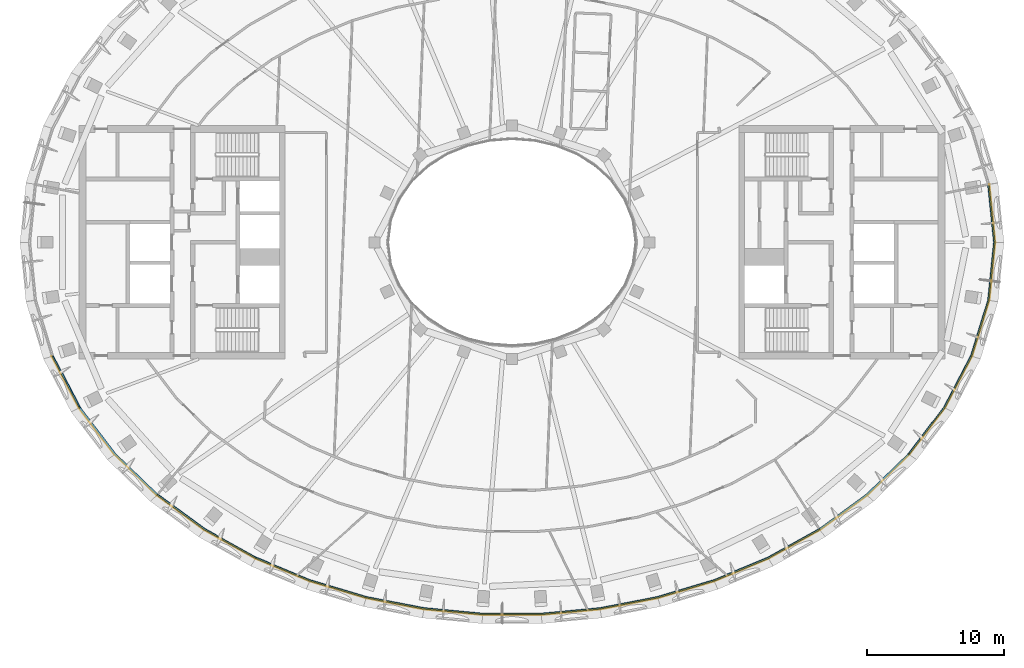
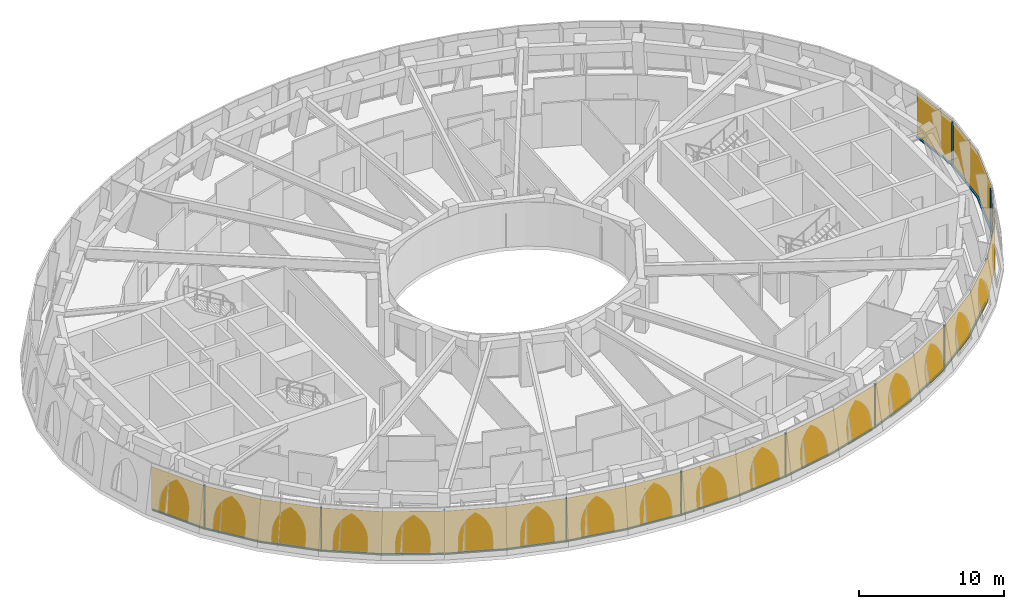
# One storey, part 8 of 14: 23 members, 1 curtain wall.
"""IFC4 building model written with IfcOpenShell, lengths in metres."""

from ifc_helpers import new_model, si_unit, direction, frame, origin, origin_2d, place, context, subcontext, project, spatial, polyline, rectangle, outline, extrude, material, layer, layer_set, material_profile, profile_set, type_object, element, aggregate, save


model = new_model("IFC4")

# Units and contexts
model_context = context("Model", 3, precision=1e-05, world=origin(), true_north=direction((0.0, 1.0)))
body_context = subcontext(model_context, "Body", "Model", "MODEL_VIEW")
ifc_project = project(units=[si_unit("LENGTHUNIT", "METRE"), si_unit("AREAUNIT", "SQUARE_METRE"), si_unit("VOLUMEUNIT", "CUBIC_METRE"), si_unit("PLANEANGLEUNIT", "RADIAN"), si_unit("MASSUNIT", "GRAM", prefix="KILO")], contexts=[model_context])

# Member
ifc_material_1 = material(Name="Aluminium 6063-T6 black anodised", Category="aluminium")
ifc_material_profile = material_profile(ifc_material_1, rectangle(XDim=0.1201171875, YDim=0.06005859375, at=origin_2d()), Name="120x60")
ifc_profile_set = profile_set([ifc_material_profile], Name="Aluminium 6063-T6 black anodised")
member_type_1 = type_object("IfcMemberType", Name="ENV-MULLION-H-120", PredefinedType="MULLION", material=ifc_profile_set)
site_placement = place(None, origin())
building_placement = place(site_placement, origin())
storey_placement = place(building_placement, frame((0.0, 0.0, 335.0)))
member_1_placement = place(storey_placement, frame((-31.45361328125, -12.0263671875, 0.0), z_axis=(0.0, 0.0, 1.0), x_axis=(0.84325450438, 0.537514502914, 0.0)))
member_1 = element("IfcMember", 1, at=member_1_placement, type_object=member_type_1, Name="Mullion H radial 27", PredefinedType="MULLION", context=body_context, shape_type="SweptSolid", body=[
    extrude(rectangle(XDim=0.1201171875, YDim=0.06005859375, at=origin_2d()), origin(), (0.0, 0.0, 1.0), 3.699951171875),
])

member_2_placement = place(storey_placement, frame((-25.809814453125, -18.364990234375, 0.0), z_axis=(0.0, 0.0, 1.0), x_axis=(0.643995047649, 0.765029658643, 0.0)))
member_2 = element("IfcMember", 2, at=member_2_placement, type_object=member_type_1, Name="Mullion H radial 29", PredefinedType="MULLION", context=body_context, shape_type="SweptSolid", body=[
    extrude(rectangle(XDim=0.1201171875, YDim=0.06005859375, at=origin_2d()), origin(), (0.0, 0.0, 1.0), 3.699951171875),
])

member_3_placement = place(storey_placement, frame((-18.63916015625, -22.96240234375, 0.0), z_axis=(0.0, 0.0, 1.0), x_axis=(0.436922279779, 0.899499261497, 0.0)))
member_3 = element("IfcMember", 3, at=member_3_placement, type_object=member_type_1, Name="Mullion H radial 31", PredefinedType="MULLION", context=body_context, shape_type="SweptSolid", body=[
    extrude(rectangle(XDim=0.1201171875, YDim=0.06005859375, at=origin_2d()), origin(), (0.0, 0.0, 1.0), 3.699951171875),
])

member_4_placement = place(storey_placement, frame((-10.599365234375, -25.83447265625, 0.0), z_axis=(0.0, 0.0, 1.0), x_axis=(0.238322723744, 0.971186016862, 0.0)))
member_4 = element("IfcMember", 4, at=member_4_placement, type_object=member_type_1, Name="Mullion H radial 33", PredefinedType="MULLION", context=body_context, shape_type="SweptSolid", body=[
    extrude(rectangle(XDim=0.1201171875, YDim=0.06005859375, at=origin_2d()), origin(), (0.0, 0.0, 1.0), 3.699951171875),
])

member_5_placement = place(storey_placement, frame((-2.1396484375, -27.04931640625, 0.0), z_axis=(0.0, 0.0, 1.0), x_axis=(0.047247925795, 0.998883193125, 0.0)))
member_5 = element("IfcMember", 5, at=member_5_placement, type_object=member_type_1, Name="Mullion H radial 35", PredefinedType="MULLION", context=body_context, shape_type="SweptSolid", body=[
    extrude(rectangle(XDim=0.1201171875, YDim=0.06005859375, at=origin_2d()), origin(), (0.0, 0.0, 1.0), 3.699951171875),
])

member_6_placement = place(storey_placement, frame((6.3994140625, -26.6455078125, 0.0), z_axis=(0.0, 0.0, 1.0), x_axis=(-0.142166513812, 0.989842756376, 0.0)))
member_6 = element("IfcMember", 6, at=member_6_placement, type_object=member_type_1, Name="Mullion H radial 37", PredefinedType="MULLION", context=body_context, shape_type="SweptSolid", body=[
    extrude(rectangle(XDim=0.1201171875, YDim=0.06005859375, at=origin_2d()), origin(), (0.0, 0.0, 1.0), 3.699951171875),
])

member_7_placement = place(storey_placement, frame((14.696044921875, -24.609619140625, 0.0), z_axis=(0.0, 0.0, 1.0), x_axis=(-0.336421967234, 0.941711346413, 0.0)))
member_7 = element("IfcMember", 7, at=member_7_placement, type_object=member_type_1, Name="Mullion H radial 39", PredefinedType="MULLION", context=body_context, shape_type="SweptSolid", body=[
    extrude(rectangle(XDim=0.1201171875, YDim=0.06005859375, at=origin_2d()), origin(), (0.0, 0.0, 1.0), 3.699951171875),
])

member_8_placement = place(storey_placement, frame((22.3681640625, -20.88330078125, 0.0), z_axis=(0.0, 0.0, 1.0), x_axis=(-0.539779232611, 0.841806616773, 0.0)))
member_8 = element("IfcMember", 8, at=member_8_placement, type_object=member_type_1, Name="Mullion H radial 41", PredefinedType="MULLION", context=body_context, shape_type="SweptSolid", body=[
    extrude(rectangle(XDim=0.1201171875, YDim=0.06005859375, at=origin_2d()), origin(), (0.0, 0.0, 1.0), 3.699951171875),
])

member_9_placement = place(storey_placement, frame((28.874267578125, -15.4072265625, 0.0), z_axis=(0.0, 0.0, 1.0), x_axis=(-0.746902899502, 0.664933123491, 0.0)))
member_9 = element("IfcMember", 9, at=member_9_placement, type_object=member_type_1, Name="Mullion H radial 43", PredefinedType="MULLION", context=body_context, shape_type="SweptSolid", body=[
    extrude(rectangle(XDim=0.1201171875, YDim=0.06005859375, at=origin_2d()), origin(), (0.0, 0.0, 1.0), 3.699951171875),
])

member_10_placement = place(storey_placement, frame((33.426513671875, -8.26708984375, 0.0), z_axis=(0.0, 0.0, 1.0), x_axis=(-0.924603540999, 0.38093082308, 0.0)))
member_10 = element("IfcMember", 10, at=member_10_placement, type_object=member_type_1, Name="Mullion H radial 45", PredefinedType="MULLION", context=body_context, shape_type="SweptSolid", body=[
    extrude(rectangle(XDim=0.1201171875, YDim=0.06005859375, at=origin_2d()), origin(), (0.0, 0.0, 1.0), 3.699951171875),
])

member_11_placement = place(storey_placement, frame((35.099853515625, 0.0, 0.0), z_axis=(0.0, 0.0, 1.0), x_axis=(-1.0, 0.0, 0.0)))
member_11 = element("IfcMember", 11, at=member_11_placement, type_object=member_type_1, Name="Mullion H radial 01", PredefinedType="MULLION", context=body_context, shape_type="SweptSolid", body=[
    extrude(rectangle(XDim=0.1201171875, YDim=0.06005859375, at=origin_2d()), origin(), (0.0, 0.0, 1.0), 3.699951171875),
])

ifc_material_2 = material(Name="Aluminium 6063-T6 black anodised", Category="aluminium")
member_type_2 = type_object("IfcMemberType", Name="ENV-TRANSOM-H", PredefinedType="USERDEFINED", material=ifc_material_2)
member_12_placement = place(storey_placement, origin())
member_12 = element("IfcMember", 12, at=member_12_placement, type_object=member_type_2, Name="Transom H radial 26-27", ObjectType="TRANSOM", PredefinedType="USERDEFINED", context=body_context, shape_type="SweptSolid", body=[
    extrude(outline(polyline([(-33.481689453125, -8.289794921875), (-31.51708984375, -12.03369140625), (-31.41552734375, -11.968994140625), (-33.370361328125, -8.243896484375), (-33.481689453125, -8.289794921875)])), origin(), (0.0, 0.0, 1.0), 0.10009765625),
])

member_13_placement = place(storey_placement, origin())
member_13 = element("IfcMember", 13, at=member_13_placement, type_object=member_type_2, Name="Transom H radial 27-29", ObjectType="TRANSOM", PredefinedType="USERDEFINED", context=body_context, shape_type="SweptSolid", body=[
    extrude(outline(polyline([(-31.487060546875, -12.080810546875), (-28.9189453125, -15.447021484375), (-25.868408203125, -18.391357421875), (-25.791015625, -18.29931640625), (-28.8291015625, -15.3671875), (-31.385498046875, -12.01611328125), (-31.487060546875, -12.080810546875)])), origin(), (0.0, 0.0, 1.0), 0.10009765625),
])

member_14_placement = place(storey_placement, origin())
member_14 = element("IfcMember", 14, at=member_14_placement, type_object=member_type_2, Name="Transom H radial 29-31", ObjectType="TRANSOM", PredefinedType="USERDEFINED", context=body_context, shape_type="SweptSolid", body=[
    extrude(outline(polyline([(-25.82568359375, -18.427490234375), (-22.400390625, -20.933837890625), (-18.689697265625, -23.002685546875), (-18.63720703125, -22.894775390625), (-22.33544921875, -20.832763671875), (-25.748291015625, -18.335205078125), (-25.82568359375, -18.427490234375)])), origin(), (0.0, 0.0, 1.0), 0.10009765625),
])

member_15_placement = place(storey_placement, origin())
member_15 = element("IfcMember", 15, at=member_15_placement, type_object=member_type_2, Name="Transom H radial 31-33", ObjectType="TRANSOM", PredefinedType="USERDEFINED", context=body_context, shape_type="SweptSolid", body=[
    extrude(outline(polyline([(-18.639404296875, -23.027099609375), (-14.71630859375, -24.666015625), (-10.640625, -25.884765625), (-10.61181640625, -25.76806640625), (-14.67578125, -24.552978515625), (-18.5869140625, -22.919189453125), (-18.639404296875, -23.027099609375)])), origin(), (0.0, 0.0, 1.0), 0.10009765625),
])

member_16_placement = place(storey_placement, origin())
member_16 = element("IfcMember", 16, at=member_16_placement, type_object=member_type_2, Name="Transom H radial 33-35", ObjectType="TRANSOM", PredefinedType="USERDEFINED", context=body_context, shape_type="SweptSolid", body=[
    extrude(outline(polyline([(-10.586181640625, -25.89794921875), (-6.407958984375, -26.704833984375), (-2.17041015625, -27.106689453125), (-2.16455078125, -26.98681640625), (-6.390869140625, -26.5859375), (-10.5576171875, -25.78125), (-10.586181640625, -25.89794921875)])), origin(), (0.0, 0.0, 1.0), 0.10009765625),
])

member_17_placement = place(storey_placement, origin())
member_17 = element("IfcMember", 17, at=member_17_placement, type_object=member_type_2, Name="Transom H radial 35-37", ObjectType="TRANSOM", PredefinedType="USERDEFINED", context=body_context, shape_type="SweptSolid", body=[
    extrude(outline(polyline([(-2.114501953125, -27.109375), (2.142333984375, -27.109375), (6.3798828125, -26.70751953125), (6.36279296875, -26.588623046875), (2.13671875, -26.9892578125), (-2.10888671875, -26.9892578125), (-2.114501953125, -27.109375)])), origin(), (0.0, 0.0, 1.0), 0.10009765625),
])

member_18_placement = place(storey_placement, origin())
member_18 = element("IfcMember", 18, at=member_18_placement, type_object=member_type_2, Name="Transom H radial 37-39", ObjectType="TRANSOM", PredefinedType="USERDEFINED", context=body_context, shape_type="SweptSolid", body=[
    extrude(outline(polyline([(6.435302734375, -26.69970703125), (10.61376953125, -25.892578125), (14.689453125, -24.67431640625), (14.649169921875, -24.56103515625), (10.585205078125, -25.77587890625), (6.418212890625, -26.580810546875), (6.435302734375, -26.69970703125)])), origin(), (0.0, 0.0, 1.0), 0.10009765625),
])

member_19_placement = place(storey_placement, origin())
member_19 = element("IfcMember", 19, at=member_19_placement, type_object=member_type_2, Name="Transom H radial 39-41", ObjectType="TRANSOM", PredefinedType="USERDEFINED", context=body_context, shape_type="SweptSolid", body=[
    extrude(outline(polyline([(14.7421875, -24.655517578125), (18.665283203125, -23.016357421875), (22.3759765625, -20.947509765625), (22.31103515625, -20.84619140625), (18.61279296875, -22.908203125), (14.70166015625, -24.542236328125), (14.7421875, -24.655517578125)])), origin(), (0.0, 0.0, 1.0), 0.10009765625),
])

member_20_placement = place(storey_placement, origin())
member_20 = element("IfcMember", 20, at=member_20_placement, type_object=member_type_2, Name="Transom H radial 41-43", ObjectType="TRANSOM", PredefinedType="USERDEFINED", context=body_context, shape_type="SweptSolid", body=[
    extrude(outline(polyline([(22.423095703125, -20.917236328125), (25.848388671875, -18.410888671875), (28.898681640625, -15.466552734375), (28.808837890625, -15.386474609375), (25.77099609375, -18.31884765625), (22.358154296875, -20.816162109375), (22.423095703125, -20.917236328125)])), origin(), (0.0, 0.0, 1.0), 0.10009765625),
])

member_21_placement = place(storey_placement, origin())
member_21 = element("IfcMember", 21, at=member_21_placement, type_object=member_type_2, Name="Transom H radial 43-45", ObjectType="TRANSOM", PredefinedType="USERDEFINED", context=body_context, shape_type="SweptSolid", body=[
    extrude(outline(polyline([(28.935791015625, -15.4248046875), (31.50390625, -12.05859375), (33.46875, -8.314697265625), (33.357421875, -8.268798828125), (31.402587890625, -11.993896484375), (28.845947265625, -15.3447265625), (28.935791015625, -15.4248046875)])), origin(), (0.0, 0.0, 1.0), 0.10009765625),
])

member_22_placement = place(storey_placement, origin())
member_22 = element("IfcMember", 22, at=member_22_placement, type_object=member_type_2, Name="Transom H radial 45-01", ObjectType="TRANSOM", PredefinedType="USERDEFINED", context=body_context, shape_type="SweptSolid", body=[
    extrude(outline(polyline([(33.489990234375, -8.262939453125), (34.731201171875, -4.2265625), (35.15673828125, -0.02783203125), (35.0361328125, -0.02783203125), (34.613037109375, -4.20263671875), (33.378662109375, -8.217041015625), (33.489990234375, -8.262939453125)])), origin(), (0.0, 0.0, 1.0), 0.10009765625),
])

member_23_placement = place(storey_placement, origin())
member_23 = element("IfcMember", 23, at=member_23_placement, type_object=member_type_2, Name="Transom H radial 01-02", ObjectType="TRANSOM", PredefinedType="USERDEFINED", context=body_context, shape_type="SweptSolid", body=[
    extrude(outline(polyline([(35.15673828125, 0.02783203125), (34.731201171875, 4.2265625), (34.613037109375, 4.20263671875), (35.0361328125, 0.02783203125), (35.15673828125, 0.02783203125)])), origin(), (0.0, 0.0, 1.0), 0.10009765625),
])

# Site, building, storey
site = spatial("IfcSite", under=ifc_project, at=site_placement, CompositionType="ELEMENT")
building = spatial("IfcBuilding", under=site, at=building_placement, Name="Noorbagh Ring Tower", CompositionType="ELEMENT")
storey = spatial("IfcBuildingStorey", under=building, at=storey_placement, Name="L73", CompositionType="ELEMENT", Elevation=335.0)

# Curtain wall
ifc_material_3 = material(Name="Glass dark tinted laminated", Category="glass")
ifc_layer = layer(ifc_material_3, 0.031982421875)
ifc_layer_set = layer_set([ifc_layer], Name="Glass dark tinted laminated")
curtain_wall_type = type_object("IfcCurtainWallType", Name="ENV-CW-H", PredefinedType="NOTDEFINED", material=ifc_layer_set)
curtain_wall_placement = place(storey_placement, origin())
curtain_wall = element("IfcCurtainWall", 24, at=curtain_wall_placement, inside=storey, type_object=curtain_wall_type, Name="Curtain wall H R26", PredefinedType="NOTDEFINED", context=body_context, shape_type="SweptSolid", body=[
    extrude(outline(polyline([(-33.511474609375, -8.302001953125), (-31.531005859375, -12.07568359375), (-28.94287109375, -15.468505859375), (-25.868896484375, -18.435302734375), (-22.417724609375, -20.9609375), (-18.67919921875, -23.04541015625), (-14.72705078125, -24.6962890625), (-10.621337890625, -25.923828125), (-6.412353515625, -26.736572265625), (-2.143798828125, -27.141357421875), (2.143798828125, -27.141357421875), (6.412353515625, -26.736572265625), (10.621337890625, -25.923828125), (14.72705078125, -24.6962890625), (18.67919921875, -23.04541015625), (22.417724609375, -20.9609375), (25.868896484375, -18.435302734375), (28.94287109375, -15.468505859375), (31.531005859375, -12.07568359375), (33.511474609375, -8.302001953125), (34.7626953125, -4.23291015625), (35.19189453125, 0.0), (34.7626953125, 4.23291015625), (34.731201171875, 4.2265625), (35.15966796875, 0.0), (34.731201171875, -4.2265625), (33.481689453125, -8.289794921875), (31.50390625, -12.05859375), (28.9189453125, -15.447021484375), (25.848388671875, -18.410888671875), (22.400390625, -20.933837890625), (18.665283203125, -23.016357421875), (14.71630859375, -24.666015625), (10.61376953125, -25.892578125), (6.407958984375, -26.704833984375), (2.142333984375, -27.109375), (-2.142333984375, -27.109375), (-6.407958984375, -26.704833984375), (-10.61376953125, -25.892578125), (-14.71630859375, -24.666015625), (-18.665283203125, -23.016357421875), (-22.400390625, -20.933837890625), (-25.848388671875, -18.410888671875), (-28.9189453125, -15.447021484375), (-31.50390625, -12.05859375), (-33.481689453125, -8.289794921875), (-33.511474609375, -8.302001953125)])), origin(), (0.0, 0.0, 1.0), 3.699951171875),
])

aggregate(curtain_wall, [member_1, member_2, member_3, member_4, member_5, member_6, member_7, member_8, member_9, member_10, member_11, member_12, member_13, member_14, member_15, member_16, member_17, member_18, member_19, member_20, member_21, member_22, member_23])

save(model, "model.ifc")
